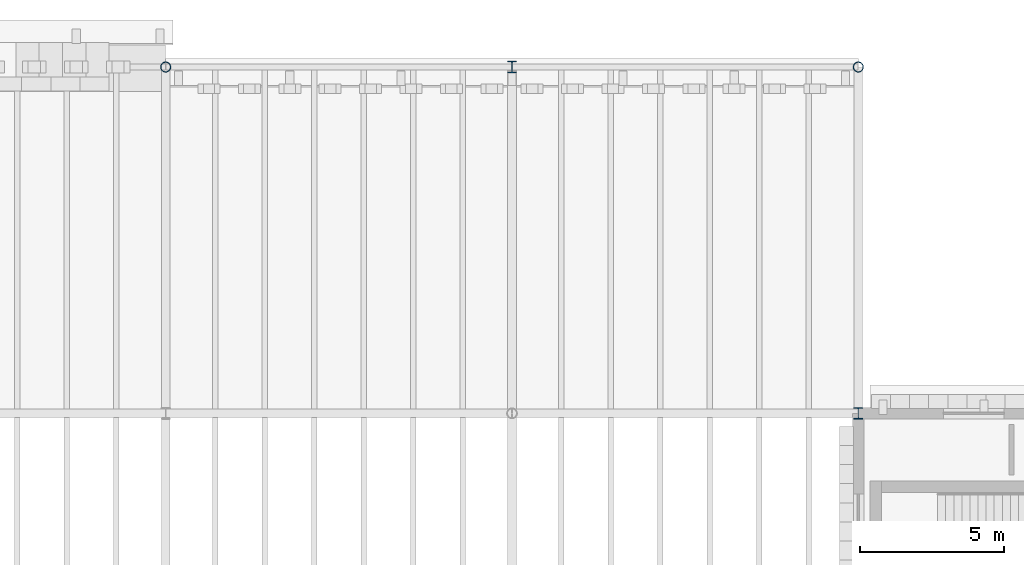
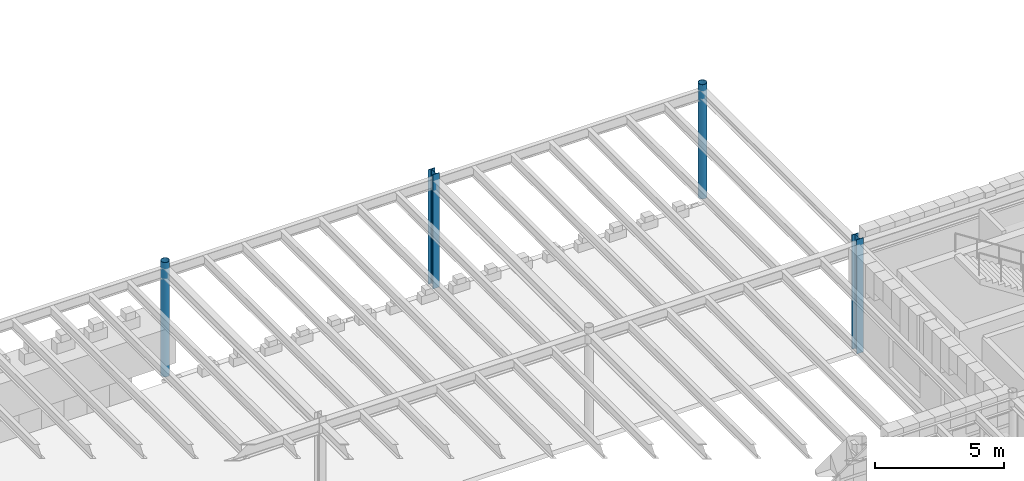
# One storey, part 11 of 100: 4 columns.
"""IFC4 building model written with IfcOpenShell, lengths in metres."""

from ifc_helpers import new_model, si_unit, direction, frame, origin, origin_2d, place, context, subcontext, project, spatial, hollow_circle, i_section, extrude, material, material_profile, profile_set, type_object, element, save


model = new_model("IFC4")

# Units and contexts
model_context = context("Model", 3, precision=1e-05, world=origin(), true_north=direction((0.0, 1.0)))
body_context = subcontext(model_context, "Body", "Model", "MODEL_VIEW")
ifc_project = project(units=[si_unit("LENGTHUNIT", "METRE"), si_unit("AREAUNIT", "SQUARE_METRE"), si_unit("VOLUMEUNIT", "CUBIC_METRE"), si_unit("PLANEANGLEUNIT", "RADIAN"), si_unit("MASSUNIT", "GRAM", prefix="KILO")], contexts=[model_context])

# Site, building, storey
site_placement = place(None, origin())
site = spatial("IfcSite", under=ifc_project, at=site_placement, CompositionType="ELEMENT")
building_placement = place(site_placement, origin())
building = spatial("IfcBuilding", under=site, at=building_placement, Name="Zlatogorsky Bluff Art Gallery", CompositionType="ELEMENT")
storey_placement = place(building_placement, frame((0.0, 0.0, 5.39990234375)))
storey = spatial("IfcBuildingStorey", under=building, at=storey_placement, Name="L01", CompositionType="ELEMENT", Elevation=5.39990234375)

# Columns
ifc_material = material(Name="Steel S355", Category="steel")
ifc_material_profile_1 = material_profile(ifc_material, i_section(OverallWidth=0.300048828125, OverallDepth=0.39990234375, WebThickness=0.013427734375, FlangeThickness=0.02392578125, FilletRadius=0.027099609375, at=origin_2d()), Name="HEB 400")
ifc_profile_set_1 = profile_set([ifc_material_profile_1], Name="Steel S355")
column_type_1 = type_object("IfcColumnType", Name="Column CL-04 HEB 400", PredefinedType="COLUMN", material=ifc_profile_set_1)
for number, where, z_axis, x_axis, name in (
    (1, (108.0, 120.0, 0.0), (0.0, 0.0, 1.0), (1.0, 0.0, 0.0), "Column CL-04 L01 K12"),
    (2, (120.0, 108.0, 0.0), (0.0, 0.0, 1.0), (1.0, 0.0, 0.0), "Column CL-04 L01 L11"),
):
    element("IfcColumn", number, at=place(storey_placement, frame(where, z_axis=z_axis, x_axis=x_axis)), inside=storey, type_object=column_type_1, Name=name, PredefinedType="COLUMN", context=body_context, shape_type="SweptSolid", body=[
        extrude(i_section(OverallWidth=0.300048828125, OverallDepth=0.39990234375, WebThickness=0.013427734375, FlangeThickness=0.02392578125, FilletRadius=0.027099609375, at=origin_2d()), origin(), (0.0, 0.0, 1.0), 5.400146484375),
    ])
ifc_material_profile_2 = material_profile(ifc_material, hollow_circle(Radius=0.177734375, WallThickness=0.01611328125, at=origin_2d()), Name="CHS 355.6x16")
ifc_profile_set_2 = profile_set([ifc_material_profile_2], Name="Steel S355")
column_type_2 = type_object("IfcColumnType", Name="Column CL-10 CHS 355.6x16", PredefinedType="COLUMN", material=ifc_profile_set_2)
for number, where, z_axis, x_axis, name in (
    (3, (96.0, 120.0, 0.0), (0.0, 0.0, 1.0), (1.0, 0.0, 0.0), "Column CL-10 L01 J12"),
    (4, (120.0, 120.0, 0.0), (0.0, 0.0, 1.0), (1.0, 0.0, 0.0), "Column CL-10 L01 L12"),
):
    element("IfcColumn", number, at=place(storey_placement, frame(where, z_axis=z_axis, x_axis=x_axis)), inside=storey, type_object=column_type_2, Name=name, PredefinedType="COLUMN", context=body_context, shape_type="SweptSolid", body=[
        extrude(hollow_circle(Radius=0.177734375, WallThickness=0.01611328125, at=origin_2d()), origin(), (0.0, 0.0, 1.0), 5.400146484375),
    ])

save(model, "model.ifc")
